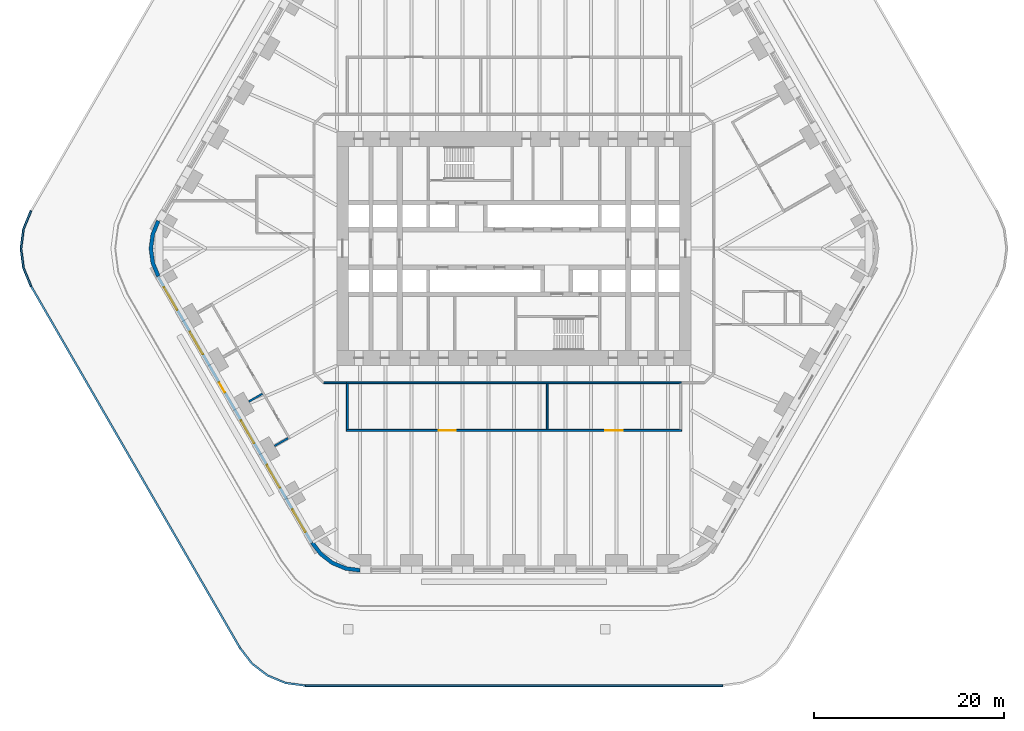
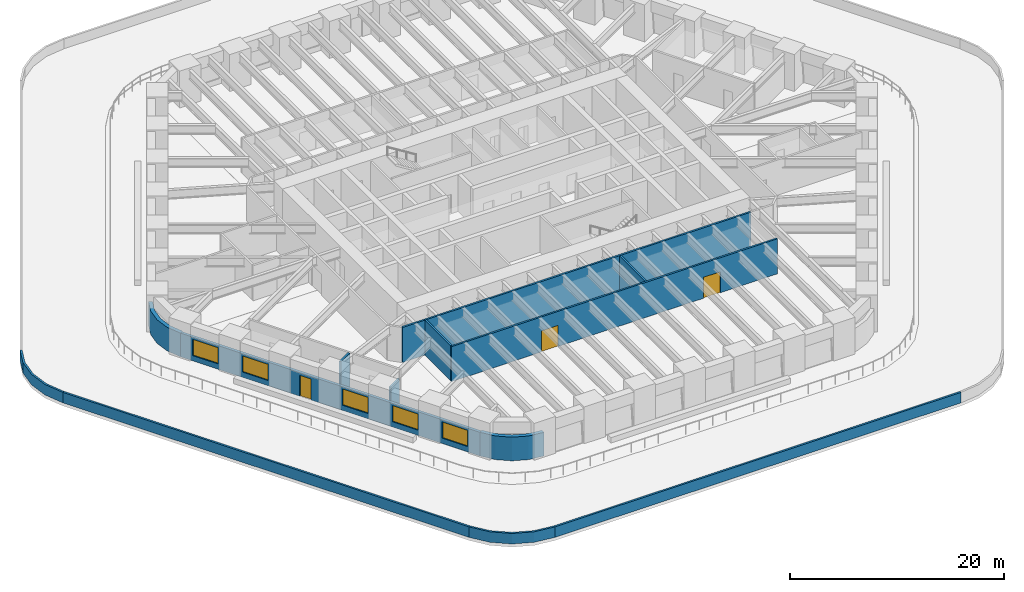
# One storey, part 8 of 17: 14 walls, 5 windows, 3 doors, 8 openings.
"""IFC4 building model written with IfcOpenShell, lengths in metres."""

from ifc_helpers import new_model, si_unit, direction, frame, frame_2d, origin, place, context, subcontext, project, spatial, polyline, rectangle, outline, extrude, material, layer, layer_set, type_object, element, fill, save


model = new_model("IFC4")

# Units and contexts
model_context = context("Model", 3, precision=1e-05, world=origin(), true_north=direction((0.0, 1.0)))
body_context = subcontext(model_context, "Body", "Model", "MODEL_VIEW")
ifc_project = project(units=[si_unit("LENGTHUNIT", "METRE"), si_unit("AREAUNIT", "SQUARE_METRE"), si_unit("VOLUMEUNIT", "CUBIC_METRE"), si_unit("PLANEANGLEUNIT", "RADIAN"), si_unit("MASSUNIT", "GRAM", prefix="KILO")], contexts=[model_context])

# Site, building, storey
site_placement = place(None, origin())
site = spatial("IfcSite", under=ifc_project, at=site_placement, CompositionType="ELEMENT")
building_placement = place(site_placement, origin())
building = spatial("IfcBuilding", under=site, at=building_placement, Name="Tarfa Lantern Tower", CompositionType="ELEMENT")
storey_placement = place(building_placement, frame((0.0, 0.0, 23.5)))
storey = spatial("IfcBuildingStorey", under=building, at=storey_placement, Name="L04", CompositionType="ELEMENT", Elevation=23.5)

# Wall, openings, door, windows
ifc_material_1 = material(Name="Limestone cladding on blockwork", Category="masonry")
ifc_layer_1 = layer(ifc_material_1, 0.300048828125)
ifc_layer_set_1 = layer_set([ifc_layer_1], Name="EW1 STONE-CLAD WALL 300")
wall_type_1 = type_object("IfcWallType", Name="EW1 STONE-CLAD WALL 300", PredefinedType="SOLIDWALL", material=ifc_layer_set_1)
wall_1_placement = place(storey_placement, frame((-37.39794921875, -2.925048828125, 0.0), z_axis=(0.0, 0.0, 1.0), x_axis=(0.499999163675, -0.866025886636, 0.0)))
wall_1 = element("IfcWall", 1, at=wall_1_placement, inside=storey, type_object=wall_type_1, Name="Stone wall SW", PredefinedType="SOLIDWALL", context=body_context, shape_type="SweptSolid", body=[
    extrude(rectangle(XDim=32.33154296875, YDim=0.300048828125, at=frame_2d((16.165771484375, 0.0))), origin(), (0.0, 0.0, 1.0), 2.699951171875),
])
opening_1_placement = place(wall_1_placement, frame((1.3193359375, 0.0, 0.60009765625)))
opening_1 = element("IfcOpeningElement", 2, at=opening_1_placement, cuts=wall_1, Name="Opening W2", PredefinedType="OPENING", context=body_context, shape_type="SweptSolid", body=[
    extrude(rectangle(XDim=2.75, YDim=1.85009765625, at=frame_2d((1.375, 0.925048828125))), frame((0.0, 0.159912109375, 0.0), z_axis=(0.0, -1.0, 0.0), x_axis=(1.0, 0.0, 0.0)), (0.0, 0.0, 1.0), 0.320068359375),
])
opening_2_placement = place(wall_1_placement, frame((6.7080078125, 0.0, 0.60009765625)))
opening_2 = element("IfcOpeningElement", 3, at=opening_2_placement, cuts=wall_1, Name="Opening W2", PredefinedType="OPENING", context=body_context, shape_type="SweptSolid", body=[
    extrude(rectangle(XDim=2.75, YDim=1.85009765625, at=frame_2d((1.375, 0.925048828125))), frame((0.0, 0.159912109375, 0.0), z_axis=(0.0, -1.0, 0.0), x_axis=(1.0, 0.0, 0.0)), (0.0, 0.0, 1.0), 0.320068359375),
])
opening_3_placement = place(wall_1_placement, frame((12.87158203125, 0.0, 0.0)))
opening_3 = element("IfcOpeningElement", 4, at=opening_3_placement, cuts=wall_1, Name="Opening D46", PredefinedType="OPENING", context=body_context, shape_type="SweptSolid", body=[
    extrude(rectangle(XDim=1.199951171875, YDim=2.39990234375, at=frame_2d((0.60009765625, 1.199951171875))), frame((0.0, 0.159912109375, 0.0), z_axis=(0.0, -1.0, 0.0), x_axis=(1.0, 0.0, 0.0)), (0.0, 0.0, 1.0), 0.320068359375),
])
opening_4_placement = place(wall_1_placement, frame((17.485107421875, 0.0, 0.60009765625)))
opening_4 = element("IfcOpeningElement", 5, at=opening_4_placement, cuts=wall_1, Name="Opening W2", PredefinedType="OPENING", context=body_context, shape_type="SweptSolid", body=[
    extrude(rectangle(XDim=2.75, YDim=1.85009765625, at=frame_2d((1.375, 0.925048828125))), frame((0.0, 0.159912109375, 0.0), z_axis=(0.0, -1.0, 0.0), x_axis=(1.0, 0.0, 0.0)), (0.0, 0.0, 1.0), 0.320068359375),
])
opening_5_placement = place(wall_1_placement, frame((22.873779296875, 0.0, 0.60009765625)))
opening_5 = element("IfcOpeningElement", 6, at=opening_5_placement, cuts=wall_1, Name="Opening W2", PredefinedType="OPENING", context=body_context, shape_type="SweptSolid", body=[
    extrude(rectangle(XDim=2.75, YDim=1.85009765625, at=frame_2d((1.375, 0.925048828125))), frame((0.0, 0.159912109375, 0.0), z_axis=(0.0, -1.0, 0.0), x_axis=(1.0, 0.0, 0.0)), (0.0, 0.0, 1.0), 0.320068359375),
])
opening_6_placement = place(wall_1_placement, frame((28.26220703125, 0.0, 0.60009765625)))
opening_6 = element("IfcOpeningElement", 7, at=opening_6_placement, cuts=wall_1, Name="Opening W2", PredefinedType="OPENING", context=body_context, shape_type="SweptSolid", body=[
    extrude(rectangle(XDim=2.75, YDim=1.85009765625, at=frame_2d((1.375, 0.925048828125))), frame((0.0, 0.159912109375, 0.0), z_axis=(0.0, -1.0, 0.0), x_axis=(1.0, 0.0, 0.0)), (0.0, 0.0, 1.0), 0.320068359375),
])
ifc_material_2 = material(Name="Aluminium framed glazed door", Category="aluminium")
door_type_1 = type_object("IfcDoorType", Name="BE3 BALCONY DOOR 1200x2400", OperationType="SINGLE_SWING_RIGHT", PredefinedType="DOOR", material=ifc_material_2)
door_1_placement = place(opening_3_placement, origin())
door_1 = element("IfcDoor", 8, at=door_1_placement, inside=storey, type_object=door_type_1, Name="Balcony door SW", OperationType="SINGLE_SWING_RIGHT", OverallHeight=2.39990234375, OverallWidth=1.199951171875, PredefinedType="DOOR", context=body_context, shape_type="SweptSolid", body=[
    extrude(rectangle(XDim=1.199951171875, YDim=2.39990234375, at=frame_2d((0.60009765625, 1.199951171875))), frame((0.0, 0.02490234375, 0.0), z_axis=(0.0, -1.0, 0.0), x_axis=(1.0, 0.0, 0.0)), (0.0, 0.0, 1.0), 0.050048828125),
])
fill(opening_3, door_1)
ifc_material_3 = material(Name="Aluminium frame, double glazed", Category="aluminium")
window_type = type_object("IfcWindowType", Name="W2 FULL-HEIGHT GLAZING 2750x1850", PartitioningType="SINGLE_PANEL", PredefinedType="WINDOW", material=ifc_material_3)
window_1_placement = place(opening_1_placement, origin())
window_1 = element("IfcWindow", 9, at=window_1_placement, inside=storey, type_object=window_type, Name="Window SW 1", OverallHeight=1.85009765625, OverallWidth=2.75, PartitioningType="SINGLE_PANEL", PredefinedType="WINDOW", context=body_context, shape_type="SweptSolid", body=[
    extrude(rectangle(XDim=2.75, YDim=1.85009765625, at=frame_2d((1.375, 0.925048828125))), frame((0.0, 0.030029296875, 0.0), z_axis=(0.0, -1.0, 0.0), x_axis=(1.0, 0.0, 0.0)), (0.0, 0.0, 1.0), 0.06005859375),
])
fill(opening_1, window_1)
window_2_placement = place(opening_2_placement, origin())
window_2 = element("IfcWindow", 10, at=window_2_placement, inside=storey, type_object=window_type, Name="Window SW 2", OverallHeight=1.85009765625, OverallWidth=2.75, PartitioningType="SINGLE_PANEL", PredefinedType="WINDOW", context=body_context, shape_type="SweptSolid", body=[
    extrude(rectangle(XDim=2.75, YDim=1.85009765625, at=frame_2d((1.375, 0.925048828125))), frame((0.0, 0.030029296875, 0.0), z_axis=(0.0, -1.0, 0.0), x_axis=(1.0, 0.0, 0.0)), (0.0, 0.0, 1.0), 0.06005859375),
])
fill(opening_2, window_2)
window_3_placement = place(opening_4_placement, origin())
window_3 = element("IfcWindow", 11, at=window_3_placement, inside=storey, type_object=window_type, Name="Window SW 4", OverallHeight=1.85009765625, OverallWidth=2.75, PartitioningType="SINGLE_PANEL", PredefinedType="WINDOW", context=body_context, shape_type="SweptSolid", body=[
    extrude(rectangle(XDim=2.75, YDim=1.85009765625, at=frame_2d((1.375, 0.925048828125))), frame((0.0, 0.030029296875, 0.0), z_axis=(0.0, -1.0, 0.0), x_axis=(1.0, 0.0, 0.0)), (0.0, 0.0, 1.0), 0.06005859375),
])
fill(opening_4, window_3)
window_4_placement = place(opening_5_placement, origin())
window_4 = element("IfcWindow", 12, at=window_4_placement, inside=storey, type_object=window_type, Name="Window SW 5", OverallHeight=1.85009765625, OverallWidth=2.75, PartitioningType="SINGLE_PANEL", PredefinedType="WINDOW", context=body_context, shape_type="SweptSolid", body=[
    extrude(rectangle(XDim=2.75, YDim=1.85009765625, at=frame_2d((1.375, 0.925048828125))), frame((0.0, 0.030029296875, 0.0), z_axis=(0.0, -1.0, 0.0), x_axis=(1.0, 0.0, 0.0)), (0.0, 0.0, 1.0), 0.06005859375),
])
fill(opening_5, window_4)
window_5_placement = place(opening_6_placement, origin())
window_5 = element("IfcWindow", 13, at=window_5_placement, inside=storey, type_object=window_type, Name="Window SW 6", OverallHeight=1.85009765625, OverallWidth=2.75, PartitioningType="SINGLE_PANEL", PredefinedType="WINDOW", context=body_context, shape_type="SweptSolid", body=[
    extrude(rectangle(XDim=2.75, YDim=1.85009765625, at=frame_2d((1.375, 0.925048828125))), frame((0.0, 0.030029296875, 0.0), z_axis=(0.0, -1.0, 0.0), x_axis=(1.0, 0.0, 0.0)), (0.0, 0.0, 1.0), 0.06005859375),
])
fill(opening_6, window_5)

# Walls
ifc_layer_2 = layer(ifc_material_1, 0.39990234375)
ifc_layer_set_2 = layer_set([ifc_layer_2], Name="EW2 CURVED STONE CORNER 400")
wall_type_2 = type_object("IfcWallType", Name="EW2 CURVED STONE CORNER 400", PredefinedType="SOLIDWALL", material=ifc_layer_set_2)
wall_2_placement = place(storey_placement, origin())
element("IfcWall", 14, at=wall_2_placement, inside=storey, type_object=wall_type_2, Name="Stone corner NW-SW", PredefinedType="SOLIDWALL", context=body_context, shape_type="SweptSolid", body=[
    extrude(outline(polyline([(-37.52783203125, 3.0), (-38.127197265625, 1.552978515625), (-38.33154296875, 0.0), (-38.127197265625, -1.552978515625), (-37.52783203125, -3.0), (-37.181396484375, -2.800048828125), (-37.74072265625, -1.449462890625), (-37.931640625, 0.0), (-37.74072265625, 1.449462890625), (-37.181396484375, 2.800048828125), (-37.52783203125, 3.0)])), origin(), (0.0, 0.0, 1.0), 2.699951171875),
])
wall_3_placement = place(storey_placement, origin())
element("IfcWall", 15, at=wall_3_placement, inside=storey, type_object=wall_type_2, Name="Stone corner SW-S", PredefinedType="SOLIDWALL", context=body_context, shape_type="SweptSolid", body=[
    extrude(outline(polyline([(-21.362060546875, -31.0), (-20.408447265625, -32.24267578125), (-19.165771484375, -33.196044921875), (-17.71875, -33.795654296875), (-16.165771484375, -34.0), (-16.165771484375, -33.60009765625), (-17.615234375, -33.4091796875), (-18.9658203125, -32.849853515625), (-20.12548828125, -31.959716796875), (-21.015625, -30.800048828125), (-21.362060546875, -31.0)])), origin(), (0.0, 0.0, 1.0), 2.699951171875),
])
ifc_material_4 = material(Name="Gypsum board on steel studs", Category="steel")
ifc_layer_3 = layer(ifc_material_4, 0.2099609375)
ifc_layer_set_3 = layer_set([ifc_layer_3], Name="IW2 ACOUSTIC PARTITION 200")
wall_type_3 = type_object("IfcWallType", Name="IW2 ACOUSTIC PARTITION 200", PredefinedType="PARTITIONING", material=ifc_layer_set_3)
wall_4_placement = place(storey_placement, frame((17.60009765625, -14.10009765625, 0.0), z_axis=(0.0, 0.0, 1.0), x_axis=(-1.0, 0.0, 0.0)))
element("IfcWall", 16, at=wall_4_placement, inside=storey, type_object=wall_type_3, Name="Partition", PredefinedType="PARTITIONING", context=body_context, shape_type="SweptSolid", body=[
    extrude(rectangle(XDim=35.2001953125, YDim=0.199951171875, at=frame_2d((17.60009765625, 0.0))), origin(), (0.0, 0.0, 1.0), 4.0),
])

# Wall, openings, doors
wall_5_placement = place(storey_placement, frame((17.60009765625, -19.10009765625, 0.0), z_axis=(0.0, 0.0, 1.0), x_axis=(-1.0, 0.0, 0.0)))
wall_5 = element("IfcWall", 17, at=wall_5_placement, inside=storey, type_object=wall_type_3, Name="Partition", PredefinedType="PARTITIONING", context=body_context, shape_type="SweptSolid", body=[
    extrude(rectangle(XDim=35.2001953125, YDim=0.199951171875, at=frame_2d((17.60009765625, 0.0))), origin(), (0.0, 0.0, 1.0), 4.0),
])
opening_7_placement = place(wall_5_placement, frame((6.199951171875, 0.0, 0.0)))
opening_7 = element("IfcOpeningElement", 18, at=opening_7_placement, cuts=wall_5, Name="Opening D37", PredefinedType="OPENING", context=body_context, shape_type="SweptSolid", body=[
    extrude(rectangle(XDim=1.800048828125, YDim=2.39990234375, at=frame_2d((0.89990234375, 1.199951171875))), frame((0.0, 0.10986328125, 0.0), z_axis=(0.0, -1.0, 0.0), x_axis=(1.0, 0.0, 0.0)), (0.0, 0.0, 1.0), 0.219970703125),
])
opening_8_placement = place(wall_5_placement, frame((23.699951171875, 0.0, 0.0)))
opening_8 = element("IfcOpeningElement", 19, at=opening_8_placement, cuts=wall_5, Name="Opening D38", PredefinedType="OPENING", context=body_context, shape_type="SweptSolid", body=[
    extrude(rectangle(XDim=1.800048828125, YDim=2.39990234375, at=frame_2d((0.89990234375, 1.199951171875))), frame((0.0, 0.10986328125, 0.0), z_axis=(0.0, -1.0, 0.0), x_axis=(1.0, 0.0, 0.0)), (0.0, 0.0, 1.0), 0.219970703125),
])
ifc_material_5 = material(Name="Timber door", Category="wood")
door_type_2 = type_object("IfcDoorType", Name="DR2 ROOM DOOR 1800x2400", OperationType="DOUBLE_DOOR_SINGLE_SWING", PredefinedType="DOOR", material=ifc_material_5)
door_2_placement = place(opening_7_placement, frame((1.800048828125, 0.0, 0.0), z_axis=(0.0, 0.0, 1.0), x_axis=(-1.0, 0.0, 0.0)))
door_2 = element("IfcDoor", 20, at=door_2_placement, inside=storey, type_object=door_type_2, Name="Project room door", OperationType="DOUBLE_DOOR_SINGLE_SWING", OverallHeight=2.39990234375, OverallWidth=1.800048828125, PredefinedType="DOOR", context=body_context, shape_type="SweptSolid", body=[
    extrude(rectangle(XDim=1.800048828125, YDim=2.39990234375, at=frame_2d((0.89990234375, 1.199951171875))), frame((0.0, 0.02490234375, 0.0), z_axis=(0.0, -1.0, 0.0), x_axis=(1.0, 0.0, 0.0)), (0.0, 0.0, 1.0), 0.050048828125),
])
fill(opening_7, door_2)
door_3_placement = place(opening_8_placement, frame((1.800048828125, 0.0, 0.0), z_axis=(0.0, 0.0, 1.0), x_axis=(-1.0, 0.0, 0.0)))
door_3 = element("IfcDoor", 21, at=door_3_placement, inside=storey, type_object=door_type_2, Name="Project room door", OperationType="DOUBLE_DOOR_SINGLE_SWING", OverallHeight=2.39990234375, OverallWidth=1.800048828125, PredefinedType="DOOR", context=body_context, shape_type="SweptSolid", body=[
    extrude(rectangle(XDim=1.800048828125, YDim=2.39990234375, at=frame_2d((0.89990234375, 1.199951171875))), frame((0.0, 0.02490234375, 0.0), z_axis=(0.0, -1.0, 0.0), x_axis=(1.0, 0.0, 0.0)), (0.0, 0.0, 1.0), 0.050048828125),
])
fill(opening_8, door_3)

# Walls
for number, where, z_axis, x_axis, name in (
    (22, (3.5, -14.199951171875, 0.0), (0.0, 0.0, 1.0), (0.0, -1.0, 0.0), "Partition"),
    (23, (-17.5, -14.199951171875, 0.0), (0.0, 0.0, 1.0), (0.0, -1.0, 0.0), "Partition"),
):
    element("IfcWall", number, at=place(storey_placement, frame(where, z_axis=z_axis, x_axis=x_axis)), inside=storey, type_object=wall_type_3, Name=name, PredefinedType="PARTITIONING", context=body_context, shape_type="SweptSolid", body=[
        extrude(rectangle(XDim=4.800048828125, YDim=0.199951171875, at=frame_2d((2.39990234375, 0.0))), origin(), (0.0, 0.0, 1.0), 4.0),
    ])
wall_6_placement = place(storey_placement, frame((-26.413818359375, -15.25, 0.0), z_axis=(0.0, 0.0, 1.0), x_axis=(-0.866040211805, -0.499974350878, 0.0)))
element("IfcWall", 24, at=wall_6_placement, inside=storey, type_object=wall_type_3, Name="Partition", PredefinedType="PARTITIONING", context=body_context, shape_type="SweptSolid", body=[
    extrude(rectangle(XDim=1.64990234375, YDim=0.199951171875, at=frame_2d((0.824951171875, 0.0))), origin(), (0.0, 0.0, 1.0), 4.0),
])
wall_7_placement = place(storey_placement, frame((-23.719482421875, -19.916748046875, 0.0), z_axis=(0.0, 0.0, 1.0), x_axis=(-0.866040211805, -0.499974350878, 0.0)))
element("IfcWall", 25, at=wall_7_placement, inside=storey, type_object=wall_type_3, Name="Partition", PredefinedType="PARTITIONING", context=body_context, shape_type="SweptSolid", body=[
    extrude(rectangle(XDim=1.64990234375, YDim=0.199951171875, at=frame_2d((0.824951171875, 0.0))), origin(), (0.0, 0.0, 1.0), 2.991943359375),
])
wall_8_placement = place(storey_placement, frame((-17.60009765625, -14.10009765625, 0.0), z_axis=(0.0, 0.0, 1.0), x_axis=(-1.0, 0.0, 0.0)))
element("IfcWall", 26, at=wall_8_placement, inside=storey, type_object=wall_type_3, Name="Partition", PredefinedType="PARTITIONING", context=body_context, shape_type="SweptSolid", body=[
    extrude(rectangle(XDim=2.39990234375, YDim=0.199951171875, at=frame_2d((1.199951171875, 0.0))), origin(), (0.0, 0.0, 1.0), 4.0),
])
ifc_layer_4 = layer(ifc_material_1, 0.199951171875)
ifc_layer_set_4 = layer_set([ifc_layer_4], Name="PP1 STONE PARAPET 200")
wall_type_4 = type_object("IfcWallType", Name="PP1 STONE PARAPET 200", PredefinedType="PARAPET", material=ifc_layer_set_4)
wall_9_placement = place(storey_placement, origin())
element("IfcWall", 27, at=wall_9_placement, inside=storey, type_object=wall_type_4, Name="Green roof parapet corner NW-SW", PredefinedType="PARAPET", context=body_context, shape_type="SweptSolid", body=[
    extrude(outline(polyline([(-50.806884765625, 4.0), (-51.60595703125, 2.070556640625), (-51.878662109375, 0.0), (-51.60595703125, -2.070556640625), (-50.806884765625, -4.0), (-50.633544921875, -3.89990234375), (-51.412841796875, -2.018798828125), (-51.6787109375, 0.0), (-51.412841796875, 2.018798828125), (-50.633544921875, 3.89990234375), (-50.806884765625, 4.0)])), origin(), (0.0, 0.0, 1.0), 1.199951171875),
])
wall_10_placement = place(storey_placement, frame((-50.72021484375, -3.949951171875, 0.0), z_axis=(0.0, 0.0, 1.0), x_axis=(0.499998269459, -0.86602640291, 0.0)))
element("IfcWall", 28, at=wall_10_placement, inside=storey, type_object=wall_type_4, Name="Green roof parapet SW", PredefinedType="PARAPET", context=body_context, shape_type="SweptSolid", body=[
    extrude(rectangle(XDim=43.878662109375, YDim=0.199951171875, at=frame_2d((21.939453125, 0.0))), origin(), (0.0, 0.0, 1.0), 1.199951171875),
])
wall_11_placement = place(storey_placement, origin())
element("IfcWall", 29, at=wall_11_placement, inside=storey, type_object=wall_type_4, Name="Green roof parapet corner SW-S", PredefinedType="PARAPET", context=body_context, shape_type="SweptSolid", body=[
    extrude(outline(polyline([(-28.867431640625, -42.0), (-27.59619140625, -43.65673828125), (-25.939208984375, -44.92822265625), (-24.009765625, -45.727294921875), (-21.939208984375, -46.0), (-21.939208984375, -45.800048828125), (-23.9580078125, -45.5341796875), (-25.83935546875, -44.7548828125), (-27.454833984375, -43.515380859375), (-28.6943359375, -41.89990234375), (-28.867431640625, -42.0)])), origin(), (0.0, 0.0, 1.0), 1.199951171875),
])
wall_12_placement = place(storey_placement, frame((-21.939208984375, -45.89990234375, 0.0), z_axis=(0.0, 0.0, 1.0), x_axis=(1.0, 0.0, 0.0)))
element("IfcWall", 30, at=wall_12_placement, inside=storey, type_object=wall_type_4, Name="Green roof parapet S", PredefinedType="PARAPET", context=body_context, shape_type="SweptSolid", body=[
    extrude(rectangle(XDim=43.87841796875, YDim=0.199951171875, at=frame_2d((21.939208984375, 0.0))), origin(), (0.0, 0.0, 1.0), 1.199951171875),
])

save(model, "model.ifc")
